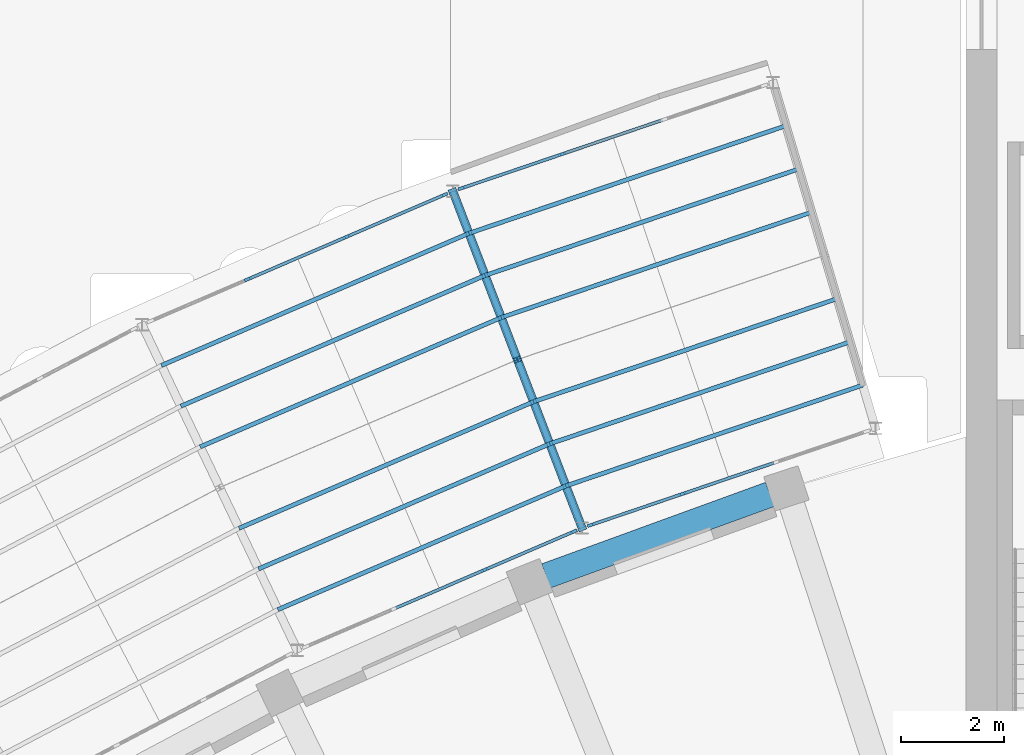
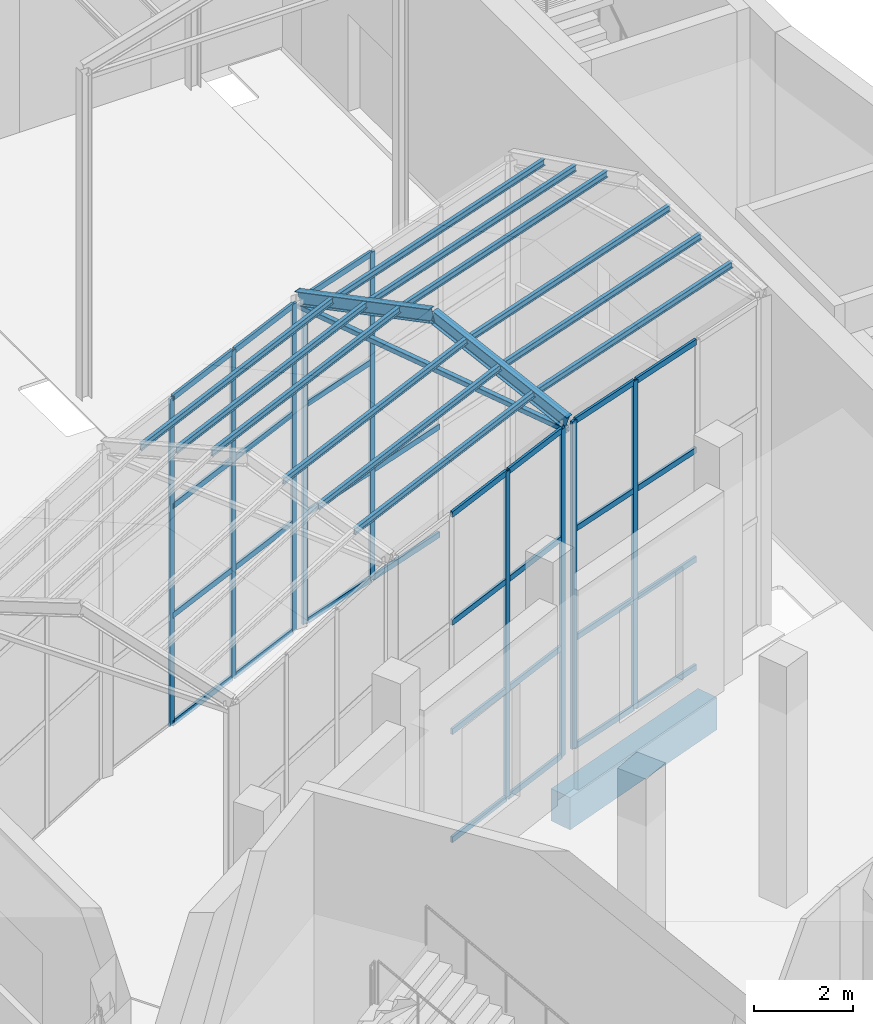
# One storey, part 39 of 155: 51 members, 4 beams, 4 elements without a shape of their own.
"""IFC4 building model written with IfcOpenShell, lengths in metres."""

from ifc_helpers import new_model, si_unit, direction, frame, origin, origin_2d, place, context, subcontext, project, spatial, rectangle, hollow_rectangle, i_section, extrude, material, layer, layer_set, material_profile, profile_set, type_object, element, aggregate, save


model = new_model("IFC4")

# Units and contexts
model_context = context("Model", 3, precision=1e-05, world=origin(), true_north=direction((0.0, 1.0)))
body_context = subcontext(model_context, "Body", "Model", "MODEL_VIEW")
ifc_project = project(units=[si_unit("LENGTHUNIT", "METRE"), si_unit("AREAUNIT", "SQUARE_METRE"), si_unit("VOLUMEUNIT", "CUBIC_METRE"), si_unit("PLANEANGLEUNIT", "RADIAN"), si_unit("MASSUNIT", "GRAM", prefix="KILO")], contexts=[model_context])

# Site, building, storey
site_placement = place(None, origin())
site = spatial("IfcSite", under=ifc_project, at=site_placement, CompositionType="ELEMENT")
building_placement = place(site_placement, origin())
building = spatial("IfcBuilding", under=site, at=building_placement, Name="Lunette Opera House", CompositionType="ELEMENT")
storey_placement = place(building_placement, origin())
storey = spatial("IfcBuildingStorey", under=building, at=storey_placement, Name="L00", CompositionType="ELEMENT", Elevation=0.0)

# Curtain wall, members
ifc_material_1 = material(Name="Aluminium", Category="aluminium")
ifc_layer = layer(ifc_material_1, 0.139892578125)
ifc_layer_set = layer_set([ifc_layer], Name="Aluminium")
curtain_wall_type = type_object("IfcCurtainWallType", Name="PASSAGE CURTAIN WALL", PredefinedType="NOTDEFINED", material=ifc_layer_set)
curtain_wall_1_placement = place(storey_placement, origin())
curtain_wall_1 = element("IfcCurtainWall", 1, at=curtain_wall_1_placement, inside=storey, type_object=curtain_wall_type, Name="Passage Curtain Wall WI2 L00", PredefinedType="NOTDEFINED")
ifc_material_2 = material(Name="Aluminium", Category="aluminium")
ifc_material_profile_1 = material_profile(ifc_material_2, rectangle(XDim=0.06005859375, YDim=0.139892578125, at=origin_2d()), Name="MULLION 60 X 140")
ifc_profile_set_1 = profile_set([ifc_material_profile_1], Name="Aluminium")
member_type_1 = type_object("IfcMemberType", Name="MULLION 60 X 140", PredefinedType="MULLION", material=ifc_profile_set_1)
member_1_placement = place(storey_placement, frame((66.660888671875, 70.700927734375, 0.0), z_axis=(0.0, 0.0, 1.0), x_axis=(-0.394806198015, 0.918764423565, 0.0)))
member_1 = element("IfcMember", 2, at=member_1_placement, type_object=member_type_1, Name="PP-X2014 mullion 3", PredefinedType="MULLION", context=body_context, shape_type="SweptSolid", body=[
    extrude(rectangle(XDim=0.06005859375, YDim=0.139892578125, at=origin_2d()), origin(), (0.0, 0.0, 1.0), 8.10009765625),
])
member_2_placement = place(storey_placement, frame((68.383544921875, 71.441162109375, 0.0), z_axis=(0.0, 0.0, 1.0), x_axis=(-0.394806198015, 0.918764423565, 0.0)))
member_2 = element("IfcMember", 3, at=member_2_placement, type_object=member_type_1, Name="PP-X2014 mullion 4", PredefinedType="MULLION", context=body_context, shape_type="SweptSolid", body=[
    extrude(rectangle(XDim=0.06005859375, YDim=0.139892578125, at=origin_2d()), origin(), (0.0, 0.0, 1.0), 8.10009765625),
])

curtain_wall_2_placement = place(storey_placement, origin())
curtain_wall_2 = element("IfcCurtainWall", 4, at=curtain_wall_2_placement, inside=storey, type_object=curtain_wall_type, Name="Passage Curtain Wall WI3 L00", PredefinedType="NOTDEFINED")
member_3_placement = place(storey_placement, frame((68.719482421875, 71.569580078125, 0.0), z_axis=(0.0, 0.0, 1.0), x_axis=(-0.321629789721, 0.946865501729, 0.0)))
member_3 = element("IfcMember", 5, at=member_3_placement, type_object=member_type_1, Name="PP-X2015 mullion 1", PredefinedType="MULLION", context=body_context, shape_type="SweptSolid", body=[
    extrude(rectangle(XDim=0.06005859375, YDim=0.139892578125, at=origin_2d()), origin(), (0.0, 0.0, 1.0), 8.10009765625),
])
member_4_placement = place(storey_placement, frame((70.49462890625, 72.172607421875, 0.0), z_axis=(0.0, 0.0, 1.0), x_axis=(-0.321629789721, 0.946865501729, 0.0)))
member_4 = element("IfcMember", 6, at=member_4_placement, type_object=member_type_1, Name="PP-X2015 mullion 2", PredefinedType="MULLION", context=body_context, shape_type="SweptSolid", body=[
    extrude(rectangle(XDim=0.06005859375, YDim=0.139892578125, at=origin_2d()), origin(), (0.0, 0.0, 1.0), 8.10009765625),
])

curtain_wall_3_placement = place(storey_placement, origin())
curtain_wall_3 = element("IfcCurtainWall", 7, at=curtain_wall_3_placement, inside=storey, type_object=curtain_wall_type, Name="Passage Curtain Wall WO2 L00", PredefinedType="NOTDEFINED")
member_5_placement = place(storey_placement, frame((62.0654296875, 76.33935546875, 0.0), z_axis=(0.0, 0.0, 1.0), x_axis=(-0.394805427943, 0.918764754476, 0.0)))
member_5 = element("IfcMember", 8, at=member_5_placement, type_object=member_type_1, Name="PP-X2017 mullion 2", PredefinedType="MULLION", context=body_context, shape_type="SweptSolid", body=[
    extrude(rectangle(XDim=0.06005859375, YDim=0.139892578125, at=origin_2d()), origin(), (0.0, 0.0, 1.0), 8.10009765625),
])
member_6_placement = place(storey_placement, frame((63.983642578125, 77.16357421875, 0.0), z_axis=(0.0, 0.0, 1.0), x_axis=(-0.394805427943, 0.918764754476, 0.0)))
member_6 = element("IfcMember", 9, at=member_6_placement, type_object=member_type_1, Name="PP-X2017 mullion 3", PredefinedType="MULLION", context=body_context, shape_type="SweptSolid", body=[
    extrude(rectangle(XDim=0.06005859375, YDim=0.139892578125, at=origin_2d()), origin(), (0.0, 0.0, 1.0), 8.10009765625),
])
member_7_placement = place(storey_placement, frame((65.87451171875, 77.97607421875, 0.0), z_axis=(0.0, 0.0, 1.0), x_axis=(-0.394805427943, 0.918764754476, 0.0)))
member_7 = element("IfcMember", 10, at=member_7_placement, type_object=member_type_1, Name="PP-X2017 mullion 4", PredefinedType="MULLION", context=body_context, shape_type="SweptSolid", body=[
    extrude(rectangle(XDim=0.06005859375, YDim=0.139892578125, at=origin_2d()), origin(), (0.0, 0.0, 1.0), 8.10009765625),
])

curtain_wall_4_placement = place(storey_placement, origin())
curtain_wall_4 = element("IfcCurtainWall", 11, at=curtain_wall_4_placement, inside=storey, type_object=curtain_wall_type, Name="Passage Curtain Wall WO3 L00", PredefinedType="NOTDEFINED")
member_8_placement = place(storey_placement, frame((66.21044921875, 78.104736328125, 0.0), z_axis=(0.0, 0.0, 1.0), x_axis=(-0.32149061205, 0.946912765974, 0.0)))
member_8 = element("IfcMember", 12, at=member_8_placement, type_object=member_type_1, Name="PP-X2018 mullion 1", PredefinedType="MULLION", context=body_context, shape_type="SweptSolid", body=[
    extrude(rectangle(XDim=0.06005859375, YDim=0.139892578125, at=origin_2d()), origin(), (0.0, 0.0, 1.0), 8.10009765625),
])
member_9_placement = place(storey_placement, frame((68.159423828125, 78.766357421875, 0.0), z_axis=(0.0, 0.0, 1.0), x_axis=(-0.32149061205, 0.946912765974, 0.0)))
member_9 = element("IfcMember", 13, at=member_9_placement, type_object=member_type_1, Name="PP-X2018 mullion 2", PredefinedType="MULLION", context=body_context, shape_type="SweptSolid", body=[
    extrude(rectangle(XDim=0.06005859375, YDim=0.139892578125, at=origin_2d()), origin(), (0.0, 0.0, 1.0), 8.10009765625),
])

# Members
ifc_material_3 = material(Name="Steel S355", Category="steel")
ifc_material_profile_2 = material_profile(ifc_material_3, i_section(OverallWidth=0.08203125, OverallDepth=0.159912109375, WebThickness=0.0048828125, FlangeThickness=0.00732421875, FilletRadius=0.009033203125, at=origin_2d()), Name="IPE 160")
ifc_profile_set_2 = profile_set([ifc_material_profile_2], Name="Steel S355")
member_type_2 = type_object("IfcMemberType", Name="PURLIN IPE 160", PredefinedType="PURLIN", material=ifc_profile_set_2)
member_10_placement = place(storey_placement, frame((62.64599609375, 69.927978515625, 8.47509765625), z_axis=(0.91880007483, 0.394723222642, 0.0), x_axis=(-0.394723222642, 0.91880007483, 0.0)))
element("IfcMember", 14, at=member_10_placement, inside=storey, type_object=member_type_2, Name="mem-PP-L00-PU2A1", PredefinedType="PURLIN", context=body_context, shape_type="SweptSolid", body=[
    extrude(i_section(OverallWidth=0.08203125, OverallDepth=0.159912109375, WebThickness=0.0048828125, FlangeThickness=0.00732421875, FilletRadius=0.009033203125, at=origin_2d()), origin(), (0.0, 0.0, 1.0), 6.0830078125),
])
member_11_placement = place(storey_placement, frame((60.385986328125, 74.666015625, 8.47509765625), z_axis=(0.918796674219, 0.394731138173, 0.0), x_axis=(-0.394731138173, 0.918796674219, 0.0)))
element("IfcMember", 15, at=member_11_placement, inside=storey, type_object=member_type_2, Name="mem-PP-L00-PU2B1", PredefinedType="PURLIN", context=body_context, shape_type="SweptSolid", body=[
    extrude(i_section(OverallWidth=0.08203125, OverallDepth=0.159912109375, WebThickness=0.0048828125, FlangeThickness=0.00732421875, FilletRadius=0.009033203125, at=origin_2d()), origin(), (0.0, 0.0, 1.0), 6.495361328125),
])
member_12_placement = place(storey_placement, frame((62.27001953125, 70.718017578125, 8.75), z_axis=(0.918812146121, 0.394695123026, 0.0), x_axis=(-0.394695123026, 0.918812146121, 0.0)))
element("IfcMember", 16, at=member_12_placement, inside=storey, type_object=member_type_2, Name="mem-PP-L00-PU2A2", PredefinedType="PURLIN", context=body_context, shape_type="SweptSolid", body=[
    extrude(i_section(OverallWidth=0.08203125, OverallDepth=0.159912109375, WebThickness=0.0048828125, FlangeThickness=0.00732421875, FilletRadius=0.009033203125, at=origin_2d()), origin(), (0.0, 0.0, 1.0), 6.151611328125),
])
member_13_placement = place(storey_placement, frame((60.762939453125, 73.8759765625, 8.75), z_axis=(0.918761399594, 0.394813235107, 0.0), x_axis=(-0.394813235107, 0.918761399594, 0.0)))
element("IfcMember", 17, at=member_13_placement, inside=storey, type_object=member_type_2, Name="mem-PP-L00-PU2B2", PredefinedType="PURLIN", context=body_context, shape_type="SweptSolid", body=[
    extrude(i_section(OverallWidth=0.08203125, OverallDepth=0.159912109375, WebThickness=0.0048828125, FlangeThickness=0.00732421875, FilletRadius=0.009033203125, at=origin_2d()), origin(), (0.0, 0.0, 1.0), 6.426025390625),
])
member_14_placement = place(storey_placement, frame((61.89306640625, 71.507080078125, 9.02490234375), z_axis=(0.91876089269, 0.394814414711, 0.0), x_axis=(-0.394814414711, 0.91876089269, 0.0)))
element("IfcMember", 18, at=member_14_placement, inside=storey, type_object=member_type_2, Name="mem-PP-L00-PU2A3", PredefinedType="PURLIN", context=body_context, shape_type="SweptSolid", body=[
    extrude(i_section(OverallWidth=0.08203125, OverallDepth=0.159912109375, WebThickness=0.0048828125, FlangeThickness=0.00732421875, FilletRadius=0.009033203125, at=origin_2d()), origin(), (0.0, 0.0, 1.0), 6.22021484375),
])
member_15_placement = place(storey_placement, frame((61.138916015625, 73.0869140625, 9.02490234375), z_axis=(0.91884286674, 0.394623600714, 0.0), x_axis=(-0.394623600714, 0.91884286674, 0.0)))
element("IfcMember", 19, at=member_15_placement, inside=storey, type_object=member_type_2, Name="mem-PP-L00-PU2B3", PredefinedType="PURLIN", context=body_context, shape_type="SweptSolid", body=[
    extrude(i_section(OverallWidth=0.08203125, OverallDepth=0.159912109375, WebThickness=0.0048828125, FlangeThickness=0.00732421875, FilletRadius=0.009033203125, at=origin_2d()), origin(), (0.0, 0.0, 1.0), 6.358154296875),
])
member_16_placement = place(storey_placement, frame((68.235107421875, 72.3291015625, 8.47509765625), z_axis=(0.946902570094, 0.32152064125, 0.0), x_axis=(-0.32152064125, 0.946902570094, 0.0)))
element("IfcMember", 20, at=member_16_placement, inside=storey, type_object=member_type_2, Name="mem-PP-L00-PU3A1", PredefinedType="PURLIN", context=body_context, shape_type="SweptSolid", body=[
    extrude(i_section(OverallWidth=0.08203125, OverallDepth=0.159912109375, WebThickness=0.0048828125, FlangeThickness=0.00732421875, FilletRadius=0.009033203125, at=origin_2d()), origin(), (0.0, 0.0, 1.0), 6.0830078125),
])
member_17_placement = place(storey_placement, frame((66.35400390625, 77.22998046875, 8.47509765625), z_axis=(0.946921098199, 0.321466069417, 0.0), x_axis=(-0.321466069417, 0.946921098199, 0.0)))
element("IfcMember", 21, at=member_17_placement, inside=storey, type_object=member_type_2, Name="mem-PP-L00-PU3B1", PredefinedType="PURLIN", context=body_context, shape_type="SweptSolid", body=[
    extrude(i_section(OverallWidth=0.08203125, OverallDepth=0.159912109375, WebThickness=0.0048828125, FlangeThickness=0.00732421875, FilletRadius=0.009033203125, at=origin_2d()), origin(), (0.0, 0.0, 1.0), 6.49560546875),
])
member_18_placement = place(storey_placement, frame((67.922119140625, 73.14599609375, 8.75), z_axis=(0.946894356755, 0.321544829139, 0.0), x_axis=(-0.321544829139, 0.946894356755, 0.0)))
element("IfcMember", 22, at=member_18_placement, inside=storey, type_object=member_type_2, Name="mem-PP-L00-PU3A2", PredefinedType="PURLIN", context=body_context, shape_type="SweptSolid", body=[
    extrude(i_section(OverallWidth=0.08203125, OverallDepth=0.159912109375, WebThickness=0.0048828125, FlangeThickness=0.00732421875, FilletRadius=0.009033203125, at=origin_2d()), origin(), (0.0, 0.0, 1.0), 6.151611328125),
])
member_19_placement = place(storey_placement, frame((66.6669921875, 76.4130859375, 8.75), z_axis=(0.946929155533, 0.321442334488, 0.0), x_axis=(-0.321442334488, 0.946929155533, 0.0)))
element("IfcMember", 23, at=member_19_placement, inside=storey, type_object=member_type_2, Name="mem-PP-L00-PU3B2", PredefinedType="PURLIN", context=body_context, shape_type="SweptSolid", body=[
    extrude(i_section(OverallWidth=0.08203125, OverallDepth=0.159912109375, WebThickness=0.0048828125, FlangeThickness=0.00732421875, FilletRadius=0.009033203125, at=origin_2d()), origin(), (0.0, 0.0, 1.0), 6.427001953125),
])
member_20_placement = place(storey_placement, frame((67.60791015625, 73.962890625, 9.02490234375), z_axis=(0.946918557724, 0.321473552626, 0.0), x_axis=(-0.321473552626, 0.946918557724, 0.0)))
element("IfcMember", 24, at=member_20_placement, inside=storey, type_object=member_type_2, Name="mem-PP-L00-PU3A3", PredefinedType="PURLIN", context=body_context, shape_type="SweptSolid", body=[
    extrude(i_section(OverallWidth=0.08203125, OverallDepth=0.159912109375, WebThickness=0.0048828125, FlangeThickness=0.00732421875, FilletRadius=0.009033203125, at=origin_2d()), origin(), (0.0, 0.0, 1.0), 6.221435546875),
])
member_21_placement = place(storey_placement, frame((66.98095703125, 75.595947265625, 9.02490234375), z_axis=(0.9469098256, 0.321499272444, 0.0), x_axis=(-0.321499272444, 0.9469098256, 0.0)))
element("IfcMember", 25, at=member_21_placement, inside=storey, type_object=member_type_2, Name="mem-PP-L00-PU3B3", PredefinedType="PURLIN", context=body_context, shape_type="SweptSolid", body=[
    extrude(i_section(OverallWidth=0.08203125, OverallDepth=0.159912109375, WebThickness=0.0048828125, FlangeThickness=0.00732421875, FilletRadius=0.009033203125, at=origin_2d()), origin(), (0.0, 0.0, 1.0), 6.357421875),
])

# Beams
ifc_material_4 = material(Name="Concrete C35/45", Category="concrete")
ifc_material_profile_3 = material_profile(ifc_material_4, rectangle(XDim=0.5, YDim=0.800048828125, at=origin_2d()), Name="RC BEAM 500X800")
ifc_profile_set_3 = profile_set([ifc_material_profile_3], Name="Concrete C35/45")
beam_type_1 = type_object("IfcBeamType", Name="RC BEAM 500X800", PredefinedType="BEAM", material=ifc_profile_set_3)
beam_1_placement = place(storey_placement, frame((67.85009765625, 70.58203125, -0.6201171875), z_axis=(0.939651519364, 0.34213304745, 0.0), x_axis=(-0.34213304745, 0.939651519364, 0.0)))
element("IfcBeam", 26, at=beam_1_placement, inside=storey, type_object=beam_type_1, Name="beam-FC-L00-L00-RG-AR-C-RL-08", PredefinedType="BEAM", context=body_context, shape_type="SweptSolid", body=[
    extrude(rectangle(XDim=0.5, YDim=0.800048828125, at=origin_2d()), origin(), (0.0, 0.0, 1.0), 4.6240234375),
])
ifc_material_5 = material(Name="Steel S355", Category="steel")
ifc_material_profile_4 = material_profile(ifc_material_5, i_section(OverallWidth=0.159912109375, OverallDepth=0.330078125, WebThickness=0.007568359375, FlangeThickness=0.011474609375, FilletRadius=0.01806640625, at=origin_2d()), Name="IPE 330")
ifc_profile_set_4 = profile_set([ifc_material_profile_4], Name="Steel S355")
beam_type_2 = type_object("IfcBeamType", Name="STEEL BEAM IPE 330", PredefinedType="BEAM", material=ifc_profile_set_4)
beam_2_placement = place(storey_placement, frame((68.549072265625, 71.511962890625, 8.14990234375), z_axis=(-0.342116679422, 0.890528185961, 0.299859513222), x_axis=(-0.933483971463, -0.3586191225, 0.0)))
element("IfcBeam", 27, at=beam_2_placement, inside=storey, type_object=beam_type_2, Name="beam-PP-L00-RF3A", PredefinedType="BEAM", context=body_context, shape_type="SweptSolid", body=[
    extrude(i_section(OverallWidth=0.159912109375, OverallDepth=0.330078125, WebThickness=0.007568359375, FlangeThickness=0.011474609375, FilletRadius=0.01806640625, at=origin_2d()), origin(), (0.0, 0.0, 1.0), 3.668701171875),
])
beam_3_placement = place(storey_placement, frame((66.0400390625, 78.047119140625, 8.14990234375), z_axis=(0.3417418103, -0.890684554649, 0.299822546186), x_axis=(0.933636511782, 0.358221808196, 0.0)))
element("IfcBeam", 28, at=beam_3_placement, inside=storey, type_object=beam_type_2, Name="beam-PP-L00-RF3B", PredefinedType="BEAM", context=body_context, shape_type="SweptSolid", body=[
    extrude(i_section(OverallWidth=0.159912109375, OverallDepth=0.330078125, WebThickness=0.007568359375, FlangeThickness=0.011474609375, FilletRadius=0.01806640625, at=origin_2d()), origin(), (0.0, 0.0, 1.0), 3.669189453125),
])
ifc_material_6 = material(Name="Steel S355", Category="steel")
ifc_material_profile_5 = material_profile(ifc_material_6, hollow_rectangle(XDim=0.1201171875, YDim=0.1201171875, WallThickness=0.006103515625, InnerFilletRadius=0.006103515625, OuterFilletRadius=0.011962890625, at=origin_2d()), Name="RHS 120X120X6")
ifc_profile_set_5 = profile_set([ifc_material_profile_5], Name="Steel S355")
beam_type_3 = type_object("IfcBeamType", Name="STEEL BEAM RHS 120X120X6", PredefinedType="BEAM", material=ifc_profile_set_5)
beam_4_placement = place(storey_placement, frame((68.549072265625, 71.511962890625, 7.949951171875), z_axis=(-0.358420460007, 0.933560267925, 0.0), x_axis=(-0.933560267925, -0.358420460007, 0.0)))
element("IfcBeam", 29, at=beam_4_placement, inside=storey, type_object=beam_type_3, Name="beam-PP-L00-TI3", PredefinedType="BEAM", context=body_context, shape_type="SweptSolid", body=[
    extrude(hollow_rectangle(XDim=0.1201171875, YDim=0.1201171875, WallThickness=0.006103515625, InnerFilletRadius=0.006103515625, OuterFilletRadius=0.011962890625, at=origin_2d()), origin(), (0.0, 0.0, 1.0), 7.000244140625),
])

# Member
ifc_material_7 = material(Name="Aluminium", Category="aluminium")
ifc_material_profile_6 = material_profile(ifc_material_7, rectangle(XDim=0.06005859375, YDim=0.139892578125, at=origin_2d()), Name="TRANSOM 60 X 140")
ifc_profile_set_6 = profile_set([ifc_material_profile_6], Name="Aluminium")
member_type_3 = type_object("IfcMemberType", Name="TRANSOM 60 X 140", PredefinedType="USERDEFINED", material=ifc_profile_set_6)
member_22_placement = place(storey_placement, frame((64.9384765625, 69.9609375, 0.030029296875), z_axis=(0.918788724401, 0.394749642069, 0.0), x_axis=(-0.394749642069, 0.918788724401, 0.0)))
member_22 = element("IfcMember", 30, at=member_22_placement, type_object=member_type_3, Name="PP-X2014 transom 2.1", ObjectType="TRANSOM", PredefinedType="USERDEFINED", context=body_context, shape_type="SweptSolid", body=[
    extrude(rectangle(XDim=0.06005859375, YDim=0.139892578125, at=origin_2d()), origin(), (0.0, 0.0, 1.0), 1.844970703125),
])

member_23_placement = place(storey_placement, frame((64.9384765625, 69.9609375, 2.699951171875), z_axis=(0.918788724401, 0.394749642069, 0.0), x_axis=(-0.394749642069, 0.918788724401, 0.0)))
member_23 = element("IfcMember", 31, at=member_23_placement, type_object=member_type_3, Name="PP-X2014 transom 2.2", ObjectType="TRANSOM", PredefinedType="USERDEFINED", context=body_context, shape_type="SweptSolid", body=[
    extrude(rectangle(XDim=0.06005859375, YDim=0.139892578125, at=origin_2d()), origin(), (0.0, 0.0, 1.0), 1.844970703125),
])

member_24_placement = place(storey_placement, frame((64.9384765625, 69.9609375, 5.39990234375), z_axis=(0.918788724401, 0.394749642069, 0.0), x_axis=(-0.394749642069, 0.918788724401, 0.0)))
member_24 = element("IfcMember", 32, at=member_24_placement, type_object=member_type_3, Name="PP-X2014 transom 2.3", ObjectType="TRANSOM", PredefinedType="USERDEFINED", context=body_context, shape_type="SweptSolid", body=[
    extrude(rectangle(XDim=0.06005859375, YDim=0.139892578125, at=origin_2d()), origin(), (0.0, 0.0, 1.0), 1.844970703125),
])

member_25_placement = place(storey_placement, frame((64.9384765625, 69.9609375, 8.070068359375), z_axis=(0.918788724401, 0.394749642069, 0.0), x_axis=(-0.394749642069, 0.918788724401, 0.0)))
member_25 = element("IfcMember", 33, at=member_25_placement, type_object=member_type_3, Name="PP-X2014 transom 2.4", ObjectType="TRANSOM", PredefinedType="USERDEFINED", context=body_context, shape_type="SweptSolid", body=[
    extrude(rectangle(XDim=0.06005859375, YDim=0.139892578125, at=origin_2d()), origin(), (0.0, 0.0, 1.0), 1.844970703125),
])

member_26_placement = place(storey_placement, frame((66.6884765625, 70.712890625, 0.030029296875), z_axis=(0.918810704729, 0.39469847843, 0.0), x_axis=(-0.39469847843, 0.918810704729, 0.0)))
member_26 = element("IfcMember", 34, at=member_26_placement, type_object=member_type_3, Name="PP-X2014 transom 3.1", ObjectType="TRANSOM", PredefinedType="USERDEFINED", context=body_context, shape_type="SweptSolid", body=[
    extrude(rectangle(XDim=0.06005859375, YDim=0.139892578125, at=origin_2d()), origin(), (0.0, 0.0, 1.0), 1.81494140625),
])

member_27_placement = place(storey_placement, frame((66.6884765625, 70.712890625, 2.699951171875), z_axis=(0.918810704729, 0.39469847843, 0.0), x_axis=(-0.39469847843, 0.918810704729, 0.0)))
member_27 = element("IfcMember", 35, at=member_27_placement, type_object=member_type_3, Name="PP-X2014 transom 3.2", ObjectType="TRANSOM", PredefinedType="USERDEFINED", context=body_context, shape_type="SweptSolid", body=[
    extrude(rectangle(XDim=0.06005859375, YDim=0.139892578125, at=origin_2d()), origin(), (0.0, 0.0, 1.0), 1.81494140625),
])

member_28_placement = place(storey_placement, frame((66.6884765625, 70.712890625, 5.39990234375), z_axis=(0.918810704729, 0.39469847843, 0.0), x_axis=(-0.39469847843, 0.918810704729, 0.0)))
member_28 = element("IfcMember", 36, at=member_28_placement, type_object=member_type_3, Name="PP-X2014 transom 3.3", ObjectType="TRANSOM", PredefinedType="USERDEFINED", context=body_context, shape_type="SweptSolid", body=[
    extrude(rectangle(XDim=0.06005859375, YDim=0.139892578125, at=origin_2d()), origin(), (0.0, 0.0, 1.0), 1.81494140625),
])

member_29_placement = place(storey_placement, frame((66.6884765625, 70.712890625, 8.070068359375), z_axis=(0.918810704729, 0.39469847843, 0.0), x_axis=(-0.39469847843, 0.918810704729, 0.0)))
member_29 = element("IfcMember", 37, at=member_29_placement, type_object=member_type_3, Name="PP-X2014 transom 3.4", ObjectType="TRANSOM", PredefinedType="USERDEFINED", context=body_context, shape_type="SweptSolid", body=[
    extrude(rectangle(XDim=0.06005859375, YDim=0.139892578125, at=origin_2d()), origin(), (0.0, 0.0, 1.0), 1.81494140625),
])

aggregate(curtain_wall_1, [member_1, member_2, member_22, member_23, member_24, member_25, member_26, member_27, member_28, member_29])

member_30_placement = place(storey_placement, frame((68.747802734375, 71.579345703125, 0.030029296875), z_axis=(0.946865357883, 0.321630213198, 0.0), x_axis=(-0.321630213198, 0.946865357883, 0.0)))
member_30 = element("IfcMember", 38, at=member_30_placement, type_object=member_type_3, Name="PP-X2015 transom 1.1", ObjectType="TRANSOM", PredefinedType="USERDEFINED", context=body_context, shape_type="SweptSolid", body=[
    extrude(rectangle(XDim=0.06005859375, YDim=0.139892578125, at=origin_2d()), origin(), (0.0, 0.0, 1.0), 1.81494140625),
])

member_31_placement = place(storey_placement, frame((68.747802734375, 71.579345703125, 2.699951171875), z_axis=(0.946865357883, 0.321630213198, 0.0), x_axis=(-0.321630213198, 0.946865357883, 0.0)))
member_31 = element("IfcMember", 39, at=member_31_placement, type_object=member_type_3, Name="PP-X2015 transom 1.2", ObjectType="TRANSOM", PredefinedType="USERDEFINED", context=body_context, shape_type="SweptSolid", body=[
    extrude(rectangle(XDim=0.06005859375, YDim=0.139892578125, at=origin_2d()), origin(), (0.0, 0.0, 1.0), 1.81494140625),
])

member_32_placement = place(storey_placement, frame((68.747802734375, 71.579345703125, 5.39990234375), z_axis=(0.946865357883, 0.321630213198, 0.0), x_axis=(-0.321630213198, 0.946865357883, 0.0)))
member_32 = element("IfcMember", 40, at=member_32_placement, type_object=member_type_3, Name="PP-X2015 transom 1.3", ObjectType="TRANSOM", PredefinedType="USERDEFINED", context=body_context, shape_type="SweptSolid", body=[
    extrude(rectangle(XDim=0.06005859375, YDim=0.139892578125, at=origin_2d()), origin(), (0.0, 0.0, 1.0), 1.81494140625),
])

member_33_placement = place(storey_placement, frame((68.747802734375, 71.579345703125, 8.070068359375), z_axis=(0.946865357883, 0.321630213198, 0.0), x_axis=(-0.321630213198, 0.946865357883, 0.0)))
member_33 = element("IfcMember", 41, at=member_33_placement, type_object=member_type_3, Name="PP-X2015 transom 1.4", ObjectType="TRANSOM", PredefinedType="USERDEFINED", context=body_context, shape_type="SweptSolid", body=[
    extrude(rectangle(XDim=0.06005859375, YDim=0.139892578125, at=origin_2d()), origin(), (0.0, 0.0, 1.0), 1.81494140625),
])

member_34_placement = place(storey_placement, frame((70.523193359375, 72.182373046875, 0.030029296875), z_axis=(0.94688158872, 0.321582426358, 0.0), x_axis=(-0.321582426358, 0.94688158872, 0.0)))
member_34 = element("IfcMember", 42, at=member_34_placement, type_object=member_type_3, Name="PP-X2015 transom 2.1", ObjectType="TRANSOM", PredefinedType="USERDEFINED", context=body_context, shape_type="SweptSolid", body=[
    extrude(rectangle(XDim=0.06005859375, YDim=0.139892578125, at=origin_2d()), origin(), (0.0, 0.0, 1.0), 1.8447265625),
])

member_35_placement = place(storey_placement, frame((70.523193359375, 72.182373046875, 2.699951171875), z_axis=(0.94688158872, 0.321582426358, 0.0), x_axis=(-0.321582426358, 0.94688158872, 0.0)))
member_35 = element("IfcMember", 43, at=member_35_placement, type_object=member_type_3, Name="PP-X2015 transom 2.2", ObjectType="TRANSOM", PredefinedType="USERDEFINED", context=body_context, shape_type="SweptSolid", body=[
    extrude(rectangle(XDim=0.06005859375, YDim=0.139892578125, at=origin_2d()), origin(), (0.0, 0.0, 1.0), 1.8447265625),
])

member_36_placement = place(storey_placement, frame((70.523193359375, 72.182373046875, 5.39990234375), z_axis=(0.94688158872, 0.321582426358, 0.0), x_axis=(-0.321582426358, 0.94688158872, 0.0)))
member_36 = element("IfcMember", 44, at=member_36_placement, type_object=member_type_3, Name="PP-X2015 transom 2.3", ObjectType="TRANSOM", PredefinedType="USERDEFINED", context=body_context, shape_type="SweptSolid", body=[
    extrude(rectangle(XDim=0.06005859375, YDim=0.139892578125, at=origin_2d()), origin(), (0.0, 0.0, 1.0), 1.8447265625),
])

member_37_placement = place(storey_placement, frame((70.523193359375, 72.182373046875, 8.070068359375), z_axis=(0.94688158872, 0.321582426358, 0.0), x_axis=(-0.321582426358, 0.94688158872, 0.0)))
member_37 = element("IfcMember", 45, at=member_37_placement, type_object=member_type_3, Name="PP-X2015 transom 2.4", ObjectType="TRANSOM", PredefinedType="USERDEFINED", context=body_context, shape_type="SweptSolid", body=[
    extrude(rectangle(XDim=0.06005859375, YDim=0.139892578125, at=origin_2d()), origin(), (0.0, 0.0, 1.0), 1.8447265625),
])

aggregate(curtain_wall_2, [member_3, member_4, member_30, member_31, member_32, member_33, member_34, member_35, member_36, member_37])

member_38_placement = place(storey_placement, frame((62.093017578125, 76.35107421875, 0.030029296875), z_axis=(0.918727286662, 0.394892609127, 0.0), x_axis=(-0.394892609127, 0.918727286662, 0.0)))
member_38 = element("IfcMember", 46, at=member_38_placement, type_object=member_type_3, Name="PP-X2017 transom 2.1", ObjectType="TRANSOM", PredefinedType="USERDEFINED", context=body_context, shape_type="SweptSolid", body=[
    extrude(rectangle(XDim=0.06005859375, YDim=0.139892578125, at=origin_2d()), origin(), (0.0, 0.0, 1.0), 2.02783203125),
])

member_39_placement = place(storey_placement, frame((62.093017578125, 76.35107421875, 2.699951171875), z_axis=(0.918727286662, 0.394892609127, 0.0), x_axis=(-0.394892609127, 0.918727286662, 0.0)))
member_39 = element("IfcMember", 47, at=member_39_placement, type_object=member_type_3, Name="PP-X2017 transom 2.2", ObjectType="TRANSOM", PredefinedType="USERDEFINED", context=body_context, shape_type="SweptSolid", body=[
    extrude(rectangle(XDim=0.06005859375, YDim=0.139892578125, at=origin_2d()), origin(), (0.0, 0.0, 1.0), 2.02783203125),
])

member_40_placement = place(storey_placement, frame((62.093017578125, 76.35107421875, 5.39990234375), z_axis=(0.918727286662, 0.394892609127, 0.0), x_axis=(-0.394892609127, 0.918727286662, 0.0)))
member_40 = element("IfcMember", 48, at=member_40_placement, type_object=member_type_3, Name="PP-X2017 transom 2.3", ObjectType="TRANSOM", PredefinedType="USERDEFINED", context=body_context, shape_type="SweptSolid", body=[
    extrude(rectangle(XDim=0.06005859375, YDim=0.139892578125, at=origin_2d()), origin(), (0.0, 0.0, 1.0), 2.02783203125),
])

member_41_placement = place(storey_placement, frame((62.093017578125, 76.35107421875, 8.070068359375), z_axis=(0.918727286662, 0.394892609127, 0.0), x_axis=(-0.394892609127, 0.918727286662, 0.0)))
member_41 = element("IfcMember", 49, at=member_41_placement, type_object=member_type_3, Name="PP-X2017 transom 2.4", ObjectType="TRANSOM", PredefinedType="USERDEFINED", context=body_context, shape_type="SweptSolid", body=[
    extrude(rectangle(XDim=0.06005859375, YDim=0.139892578125, at=origin_2d()), origin(), (0.0, 0.0, 1.0), 2.02783203125),
])

member_42_placement = place(storey_placement, frame((64.01123046875, 77.175537109375, 0.030029296875), z_axis=(0.918765386014, 0.394803958267, 0.0), x_axis=(-0.394803958267, 0.918765386014, 0.0)))
member_42 = element("IfcMember", 50, at=member_42_placement, type_object=member_type_3, Name="PP-X2017 transom 3.1", ObjectType="TRANSOM", PredefinedType="USERDEFINED", context=body_context, shape_type="SweptSolid", body=[
    extrude(rectangle(XDim=0.06005859375, YDim=0.139892578125, at=origin_2d()), origin(), (0.0, 0.0, 1.0), 1.998046875),
])

member_43_placement = place(storey_placement, frame((64.01123046875, 77.175537109375, 2.699951171875), z_axis=(0.918765386014, 0.394803958267, 0.0), x_axis=(-0.394803958267, 0.918765386014, 0.0)))
member_43 = element("IfcMember", 51, at=member_43_placement, type_object=member_type_3, Name="PP-X2017 transom 3.2", ObjectType="TRANSOM", PredefinedType="USERDEFINED", context=body_context, shape_type="SweptSolid", body=[
    extrude(rectangle(XDim=0.06005859375, YDim=0.139892578125, at=origin_2d()), origin(), (0.0, 0.0, 1.0), 1.998046875),
])

member_44_placement = place(storey_placement, frame((64.01123046875, 77.175537109375, 5.39990234375), z_axis=(0.918765386014, 0.394803958267, 0.0), x_axis=(-0.394803958267, 0.918765386014, 0.0)))
member_44 = element("IfcMember", 52, at=member_44_placement, type_object=member_type_3, Name="PP-X2017 transom 3.3", ObjectType="TRANSOM", PredefinedType="USERDEFINED", context=body_context, shape_type="SweptSolid", body=[
    extrude(rectangle(XDim=0.06005859375, YDim=0.139892578125, at=origin_2d()), origin(), (0.0, 0.0, 1.0), 1.998046875),
])

member_45_placement = place(storey_placement, frame((64.01123046875, 77.175537109375, 8.070068359375), z_axis=(0.918765386014, 0.394803958267, 0.0), x_axis=(-0.394803958267, 0.918765386014, 0.0)))
member_45 = element("IfcMember", 53, at=member_45_placement, type_object=member_type_3, Name="PP-X2017 transom 3.4", ObjectType="TRANSOM", PredefinedType="USERDEFINED", context=body_context, shape_type="SweptSolid", body=[
    extrude(rectangle(XDim=0.06005859375, YDim=0.139892578125, at=origin_2d()), origin(), (0.0, 0.0, 1.0), 1.998046875),
])

aggregate(curtain_wall_3, [member_5, member_6, member_7, member_38, member_39, member_40, member_41, member_42, member_43, member_44, member_45])

member_46_placement = place(storey_placement, frame((66.23876953125, 78.1142578125, 0.030029296875), z_axis=(0.946921594222, 0.32146460831, 0.0), x_axis=(-0.32146460831, 0.946921594222, 0.0)))
member_46 = element("IfcMember", 54, at=member_46_placement, type_object=member_type_3, Name="PP-X2018 transom 1.1", ObjectType="TRANSOM", PredefinedType="USERDEFINED", context=body_context, shape_type="SweptSolid", body=[
    extrude(rectangle(XDim=0.06005859375, YDim=0.139892578125, at=origin_2d()), origin(), (0.0, 0.0, 1.0), 1.998046875),
])

member_47_placement = place(storey_placement, frame((66.23876953125, 78.1142578125, 2.699951171875), z_axis=(0.946921594222, 0.32146460831, 0.0), x_axis=(-0.32146460831, 0.946921594222, 0.0)))
member_47 = element("IfcMember", 55, at=member_47_placement, type_object=member_type_3, Name="PP-X2018 transom 1.2", ObjectType="TRANSOM", PredefinedType="USERDEFINED", context=body_context, shape_type="SweptSolid", body=[
    extrude(rectangle(XDim=0.06005859375, YDim=0.139892578125, at=origin_2d()), origin(), (0.0, 0.0, 1.0), 1.998046875),
])

member_48_placement = place(storey_placement, frame((66.23876953125, 78.1142578125, 5.39990234375), z_axis=(0.946921594222, 0.32146460831, 0.0), x_axis=(-0.32146460831, 0.946921594222, 0.0)))
member_48 = element("IfcMember", 56, at=member_48_placement, type_object=member_type_3, Name="PP-X2018 transom 1.3", ObjectType="TRANSOM", PredefinedType="USERDEFINED", context=body_context, shape_type="SweptSolid", body=[
    extrude(rectangle(XDim=0.06005859375, YDim=0.139892578125, at=origin_2d()), origin(), (0.0, 0.0, 1.0), 1.998046875),
])

member_49_placement = place(storey_placement, frame((66.23876953125, 78.1142578125, 8.070068359375), z_axis=(0.946921594222, 0.32146460831, 0.0), x_axis=(-0.32146460831, 0.946921594222, 0.0)))
member_49 = element("IfcMember", 57, at=member_49_placement, type_object=member_type_3, Name="PP-X2018 transom 1.4", ObjectType="TRANSOM", PredefinedType="USERDEFINED", context=body_context, shape_type="SweptSolid", body=[
    extrude(rectangle(XDim=0.06005859375, YDim=0.139892578125, at=origin_2d()), origin(), (0.0, 0.0, 1.0), 1.998046875),
])

member_50_placement = place(storey_placement, frame((68.187744140625, 78.77587890625, 0.030029296875), z_axis=(0.946898877622, 0.321531515653, 0.0), x_axis=(-0.321531515653, 0.946898877622, 0.0)))
member_50 = element("IfcMember", 58, at=member_50_placement, type_object=member_type_3, Name="PP-X2018 transom 2.1", ObjectType="TRANSOM", PredefinedType="USERDEFINED", context=body_context, shape_type="SweptSolid", body=[
    extrude(rectangle(XDim=0.06005859375, YDim=0.139892578125, at=origin_2d()), origin(), (0.0, 0.0, 1.0), 2.028076171875),
])

member_51_placement = place(storey_placement, frame((68.187744140625, 78.77587890625, 2.699951171875), z_axis=(0.946898877622, 0.321531515653, 0.0), x_axis=(-0.321531515653, 0.946898877622, 0.0)))
member_51 = element("IfcMember", 59, at=member_51_placement, type_object=member_type_3, Name="PP-X2018 transom 2.2", ObjectType="TRANSOM", PredefinedType="USERDEFINED", context=body_context, shape_type="SweptSolid", body=[
    extrude(rectangle(XDim=0.06005859375, YDim=0.139892578125, at=origin_2d()), origin(), (0.0, 0.0, 1.0), 2.028076171875),
])

aggregate(curtain_wall_4, [member_8, member_9, member_46, member_47, member_48, member_49, member_50, member_51])

save(model, "model.ifc")
